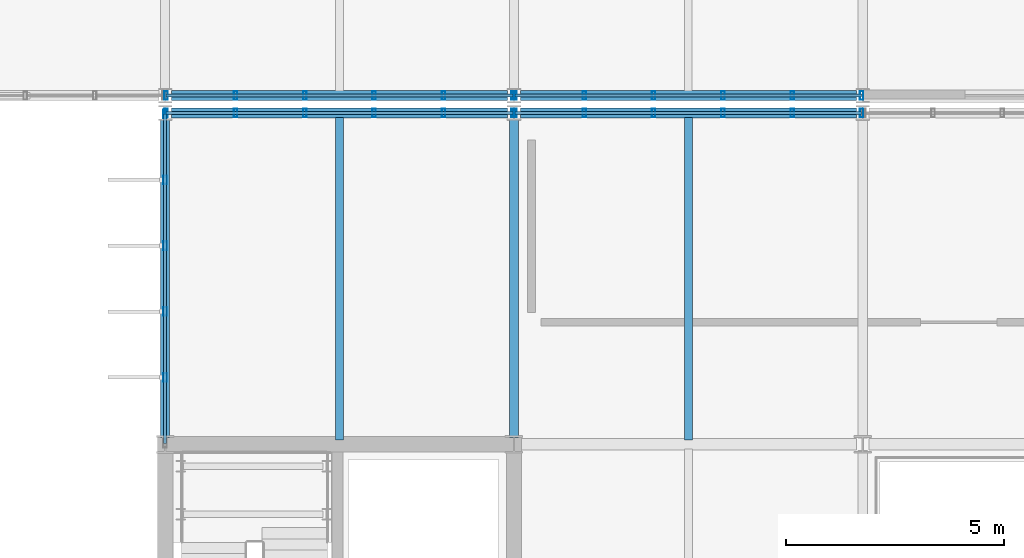
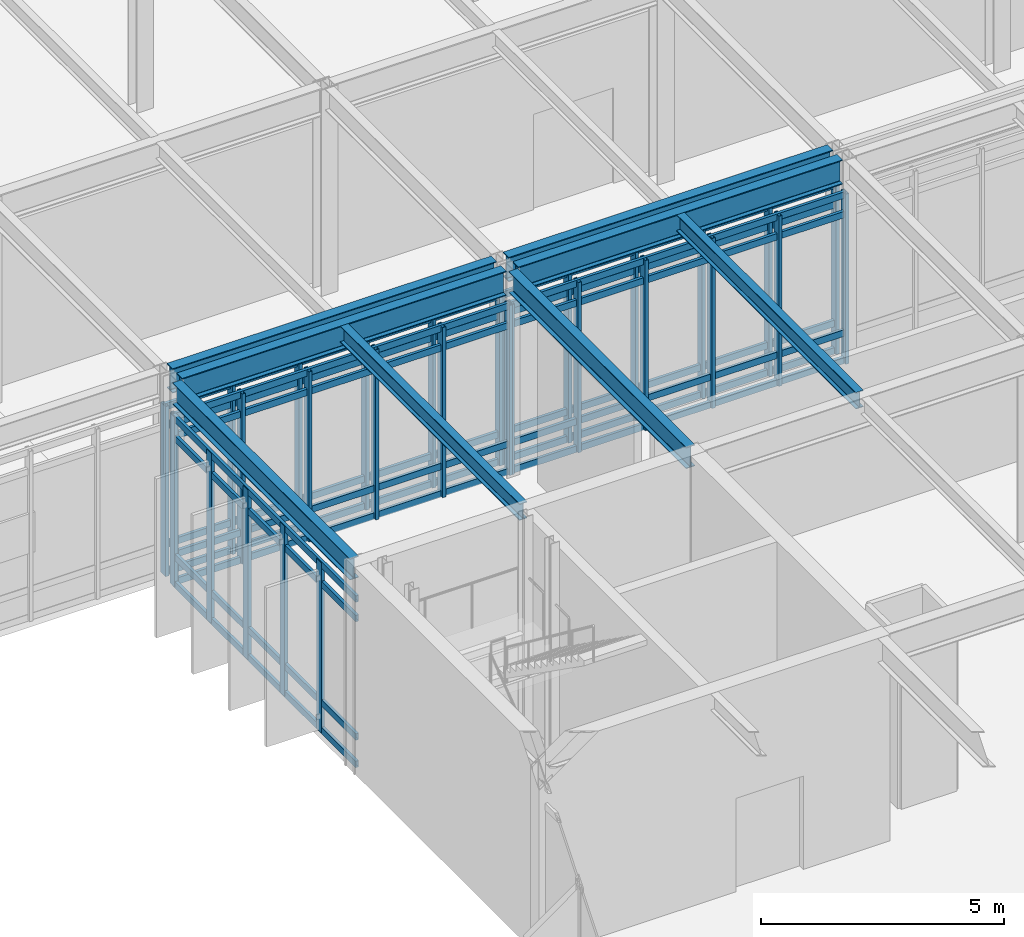
# One storey, part 42 of 94: 49 members, 8 beams, 5 elements without a shape of their own.
"""IFC4 building model written with IfcOpenShell, lengths in metres."""

from ifc_helpers import new_model, si_unit, direction, frame, origin, origin_2d, place, context, subcontext, project, spatial, hollow_rectangle, i_section, extrude, material, material_profile, profile_set, type_object, element, aggregate, save


model = new_model("IFC4")

# Units and contexts
model_context = context("Model", 3, precision=1e-05, world=origin(), true_north=direction((0.0, 1.0)))
body_context = subcontext(model_context, "Body", "Model", "MODEL_VIEW")
ifc_project = project(units=[si_unit("LENGTHUNIT", "METRE"), si_unit("AREAUNIT", "SQUARE_METRE"), si_unit("VOLUMEUNIT", "CUBIC_METRE"), si_unit("PLANEANGLEUNIT", "RADIAN"), si_unit("MASSUNIT", "GRAM", prefix="KILO")], contexts=[model_context])

# Site, building, storey
site_placement = place(None, origin())
site = spatial("IfcSite", under=ifc_project, at=site_placement, CompositionType="ELEMENT")
building_placement = place(site_placement, origin())
building = spatial("IfcBuilding", under=site, at=building_placement, Name="Zulena Civic Courthouse", CompositionType="ELEMENT")
storey_placement = place(building_placement, frame((0.0, 0.0, 5.39990234375)))
storey = spatial("IfcBuildingStorey", under=building, at=storey_placement, Name="L01", CompositionType="ELEMENT", Elevation=5.39990234375)

# Curtain wall, members
ifc_material_1 = material(Name="Double-silver low-E laminated solar-control glass", Category="glass")
curtain_wall_type_1 = type_object("IfcCurtainWallType", Name="CW_7552x4280", PredefinedType="USERDEFINED", material=ifc_material_1)
curtain_wall_1_placement = place(storey_placement, origin())
curtain_wall_1 = element("IfcCurtainWall", 1, at=curtain_wall_1_placement, inside=storey, type_object=curtain_wall_type_1, Name="cw:V4:L01:0:3", ObjectType="UNITISED CURTAIN WALL", PredefinedType="USERDEFINED")
ifc_material_2 = material(Name="Bronze anodised thermally broken aluminium AA6063-T6", Category="aluminium")
ifc_material_profile_1 = material_profile(ifc_material_2, hollow_rectangle(XDim=0.080078125, YDim=0.199951171875, WallThickness=0.0048828125, at=origin_2d()), Name="CWM200X80X5")
ifc_profile_set_1 = profile_set([ifc_material_profile_1], Name="Bronze anodised thermally broken aluminium AA6063-T6")
member_type_1 = type_object("IfcMemberType", Name="CWMullion_200x80", PredefinedType="MULLION", material=ifc_profile_set_1)
member_1_placement = place(storey_placement, frame((68.0, 39.534423828125, 0.0), z_axis=(0.0, 0.0, 1.0), x_axis=(1.0, 0.0, 0.0)))
member_1 = element("IfcMember", 2, at=member_1_placement, type_object=member_type_1, Name="cw:V4:L01:0:3:mull:1", PredefinedType="MULLION", context=body_context, shape_type="SweptSolid", body=[
    extrude(hollow_rectangle(XDim=0.080078125, YDim=0.199951171875, WallThickness=0.0048828125, at=origin_2d()), origin(), (0.0, 0.0, 1.0), 4.280029296875),
])
member_2_placement = place(storey_placement, frame((68.0, 41.044921875, 0.0), z_axis=(0.0, 0.0, 1.0), x_axis=(1.0, 0.0, 0.0)))
member_2 = element("IfcMember", 3, at=member_2_placement, type_object=member_type_1, Name="cw:V4:L01:0:3:mull:2", PredefinedType="MULLION", context=body_context, shape_type="SweptSolid", body=[
    extrude(hollow_rectangle(XDim=0.080078125, YDim=0.199951171875, WallThickness=0.0048828125, at=origin_2d()), origin(), (0.0, 0.0, 1.0), 4.280029296875),
])
member_3_placement = place(storey_placement, frame((68.0, 42.55517578125, 0.0), z_axis=(0.0, 0.0, 1.0), x_axis=(1.0, 0.0, 0.0)))
member_3 = element("IfcMember", 4, at=member_3_placement, type_object=member_type_1, Name="cw:V4:L01:0:3:mull:3", PredefinedType="MULLION", context=body_context, shape_type="SweptSolid", body=[
    extrude(hollow_rectangle(XDim=0.080078125, YDim=0.199951171875, WallThickness=0.0048828125, at=origin_2d()), origin(), (0.0, 0.0, 1.0), 4.280029296875),
])
member_4_placement = place(storey_placement, frame((68.0, 44.065673828125, 0.0), z_axis=(0.0, 0.0, 1.0), x_axis=(1.0, 0.0, 0.0)))
member_4 = element("IfcMember", 5, at=member_4_placement, type_object=member_type_1, Name="cw:V4:L01:0:3:mull:4", PredefinedType="MULLION", context=body_context, shape_type="SweptSolid", body=[
    extrude(hollow_rectangle(XDim=0.080078125, YDim=0.199951171875, WallThickness=0.0048828125, at=origin_2d()), origin(), (0.0, 0.0, 1.0), 4.280029296875),
])
member_5_placement = place(storey_placement, frame((68.0, 45.575927734375, 0.0), z_axis=(0.0, 0.0, 1.0), x_axis=(1.0, 0.0, 0.0)))
member_5 = element("IfcMember", 6, at=member_5_placement, type_object=member_type_1, Name="cw:V4:L01:0:3:mull:5", PredefinedType="MULLION", context=body_context, shape_type="SweptSolid", body=[
    extrude(hollow_rectangle(XDim=0.080078125, YDim=0.199951171875, WallThickness=0.0048828125, at=origin_2d()), origin(), (0.0, 0.0, 1.0), 4.280029296875),
])

curtain_wall_type_2 = type_object("IfcCurtainWallType", Name="CW_7952x4280", PredefinedType="USERDEFINED", material=ifc_material_1)
curtain_wall_2_placement = place(storey_placement, origin())
curtain_wall_2 = element("IfcCurtainWall", 7, at=curtain_wall_2_placement, inside=storey, type_object=curtain_wall_type_2, Name="cw:V4:L01:1:0", ObjectType="UNITISED CURTAIN WALL", PredefinedType="USERDEFINED")
member_6_placement = place(storey_placement, frame((68.02392578125, 45.60009765625, 0.0), z_axis=(0.0, 0.0, 1.0), x_axis=(1.0, 0.0, 0.0)))
member_6 = element("IfcMember", 8, at=member_6_placement, type_object=member_type_1, Name="cw:V4:L01:1:0:mull:0", PredefinedType="MULLION", context=body_context, shape_type="SweptSolid", body=[
    extrude(hollow_rectangle(XDim=0.080078125, YDim=0.199951171875, WallThickness=0.0048828125, at=origin_2d()), origin(), (0.0, 0.0, 1.0), 4.280029296875),
])
member_7_placement = place(storey_placement, frame((69.614501953125, 45.60009765625, 0.0), z_axis=(0.0, 0.0, 1.0), x_axis=(1.0, 0.0, 0.0)))
member_7 = element("IfcMember", 9, at=member_7_placement, type_object=member_type_1, Name="cw:V4:L01:1:0:mull:1", PredefinedType="MULLION", context=body_context, shape_type="SweptSolid", body=[
    extrude(hollow_rectangle(XDim=0.080078125, YDim=0.199951171875, WallThickness=0.0048828125, at=origin_2d()), origin(), (0.0, 0.0, 1.0), 4.280029296875),
])
member_8_placement = place(storey_placement, frame((71.204833984375, 45.60009765625, 0.0), z_axis=(0.0, 0.0, 1.0), x_axis=(1.0, 0.0, 0.0)))
member_8 = element("IfcMember", 10, at=member_8_placement, type_object=member_type_1, Name="cw:V4:L01:1:0:mull:2", PredefinedType="MULLION", context=body_context, shape_type="SweptSolid", body=[
    extrude(hollow_rectangle(XDim=0.080078125, YDim=0.199951171875, WallThickness=0.0048828125, at=origin_2d()), origin(), (0.0, 0.0, 1.0), 4.280029296875),
])
member_9_placement = place(storey_placement, frame((72.795166015625, 45.60009765625, 0.0), z_axis=(0.0, 0.0, 1.0), x_axis=(1.0, 0.0, 0.0)))
member_9 = element("IfcMember", 11, at=member_9_placement, type_object=member_type_1, Name="cw:V4:L01:1:0:mull:3", PredefinedType="MULLION", context=body_context, shape_type="SweptSolid", body=[
    extrude(hollow_rectangle(XDim=0.080078125, YDim=0.199951171875, WallThickness=0.0048828125, at=origin_2d()), origin(), (0.0, 0.0, 1.0), 4.280029296875),
])
member_10_placement = place(storey_placement, frame((74.385498046875, 45.60009765625, 0.0), z_axis=(0.0, 0.0, 1.0), x_axis=(1.0, 0.0, 0.0)))
member_10 = element("IfcMember", 12, at=member_10_placement, type_object=member_type_1, Name="cw:V4:L01:1:0:mull:4", PredefinedType="MULLION", context=body_context, shape_type="SweptSolid", body=[
    extrude(hollow_rectangle(XDim=0.080078125, YDim=0.199951171875, WallThickness=0.0048828125, at=origin_2d()), origin(), (0.0, 0.0, 1.0), 4.280029296875),
])
member_11_placement = place(storey_placement, frame((75.97607421875, 45.60009765625, 0.0), z_axis=(0.0, 0.0, 1.0), x_axis=(1.0, 0.0, 0.0)))
member_11 = element("IfcMember", 13, at=member_11_placement, type_object=member_type_1, Name="cw:V4:L01:1:0:mull:5", PredefinedType="MULLION", context=body_context, shape_type="SweptSolid", body=[
    extrude(hollow_rectangle(XDim=0.080078125, YDim=0.199951171875, WallThickness=0.0048828125, at=origin_2d()), origin(), (0.0, 0.0, 1.0), 4.280029296875),
])

curtain_wall_3_placement = place(storey_placement, origin())
curtain_wall_3 = element("IfcCurtainWall", 14, at=curtain_wall_3_placement, inside=storey, type_object=curtain_wall_type_2, Name="cw:V4:L01:1:1", ObjectType="UNITISED CURTAIN WALL", PredefinedType="USERDEFINED")
member_12_placement = place(storey_placement, frame((76.02392578125, 45.60009765625, 0.0), z_axis=(0.0, 0.0, 1.0), x_axis=(1.0, 0.0, 0.0)))
member_12 = element("IfcMember", 15, at=member_12_placement, type_object=member_type_1, Name="cw:V4:L01:1:1:mull:0", PredefinedType="MULLION", context=body_context, shape_type="SweptSolid", body=[
    extrude(hollow_rectangle(XDim=0.080078125, YDim=0.199951171875, WallThickness=0.0048828125, at=origin_2d()), origin(), (0.0, 0.0, 1.0), 4.280029296875),
])
member_13_placement = place(storey_placement, frame((77.614501953125, 45.60009765625, 0.0), z_axis=(0.0, 0.0, 1.0), x_axis=(1.0, 0.0, 0.0)))
member_13 = element("IfcMember", 16, at=member_13_placement, type_object=member_type_1, Name="cw:V4:L01:1:1:mull:1", PredefinedType="MULLION", context=body_context, shape_type="SweptSolid", body=[
    extrude(hollow_rectangle(XDim=0.080078125, YDim=0.199951171875, WallThickness=0.0048828125, at=origin_2d()), origin(), (0.0, 0.0, 1.0), 4.280029296875),
])
member_14_placement = place(storey_placement, frame((79.204833984375, 45.60009765625, 0.0), z_axis=(0.0, 0.0, 1.0), x_axis=(1.0, 0.0, 0.0)))
member_14 = element("IfcMember", 17, at=member_14_placement, type_object=member_type_1, Name="cw:V4:L01:1:1:mull:2", PredefinedType="MULLION", context=body_context, shape_type="SweptSolid", body=[
    extrude(hollow_rectangle(XDim=0.080078125, YDim=0.199951171875, WallThickness=0.0048828125, at=origin_2d()), origin(), (0.0, 0.0, 1.0), 4.280029296875),
])
member_15_placement = place(storey_placement, frame((80.795166015625, 45.60009765625, 0.0), z_axis=(0.0, 0.0, 1.0), x_axis=(1.0, 0.0, 0.0)))
member_15 = element("IfcMember", 18, at=member_15_placement, type_object=member_type_1, Name="cw:V4:L01:1:1:mull:3", PredefinedType="MULLION", context=body_context, shape_type="SweptSolid", body=[
    extrude(hollow_rectangle(XDim=0.080078125, YDim=0.199951171875, WallThickness=0.0048828125, at=origin_2d()), origin(), (0.0, 0.0, 1.0), 4.280029296875),
])
member_16_placement = place(storey_placement, frame((82.385498046875, 45.60009765625, 0.0), z_axis=(0.0, 0.0, 1.0), x_axis=(1.0, 0.0, 0.0)))
member_16 = element("IfcMember", 19, at=member_16_placement, type_object=member_type_1, Name="cw:V4:L01:1:1:mull:4", PredefinedType="MULLION", context=body_context, shape_type="SweptSolid", body=[
    extrude(hollow_rectangle(XDim=0.080078125, YDim=0.199951171875, WallThickness=0.0048828125, at=origin_2d()), origin(), (0.0, 0.0, 1.0), 4.280029296875),
])
member_17_placement = place(storey_placement, frame((83.97607421875, 45.60009765625, 0.0), z_axis=(0.0, 0.0, 1.0), x_axis=(1.0, 0.0, 0.0)))
member_17 = element("IfcMember", 20, at=member_17_placement, type_object=member_type_1, Name="cw:V4:L01:1:1:mull:5", PredefinedType="MULLION", context=body_context, shape_type="SweptSolid", body=[
    extrude(hollow_rectangle(XDim=0.080078125, YDim=0.199951171875, WallThickness=0.0048828125, at=origin_2d()), origin(), (0.0, 0.0, 1.0), 4.280029296875),
])

curtain_wall_4_placement = place(storey_placement, origin())
curtain_wall_4 = element("IfcCurtainWall", 21, at=curtain_wall_4_placement, inside=storey, type_object=curtain_wall_type_2, Name="cw:V5:L01:5:3", ObjectType="UNITISED CURTAIN WALL", PredefinedType="USERDEFINED")
member_18_placement = place(storey_placement, frame((83.97607421875, 46.0, 0.0), z_axis=(0.0, 0.0, 1.0), x_axis=(1.0, 0.0, 0.0)))
member_18 = element("IfcMember", 22, at=member_18_placement, type_object=member_type_1, Name="cw:V5:L01:5:3:mull:0", PredefinedType="MULLION", context=body_context, shape_type="SweptSolid", body=[
    extrude(hollow_rectangle(XDim=0.080078125, YDim=0.199951171875, WallThickness=0.0048828125, at=origin_2d()), origin(), (0.0, 0.0, 1.0), 4.280029296875),
])
member_19_placement = place(storey_placement, frame((82.385498046875, 46.0, 0.0), z_axis=(0.0, 0.0, 1.0), x_axis=(1.0, 0.0, 0.0)))
member_19 = element("IfcMember", 23, at=member_19_placement, type_object=member_type_1, Name="cw:V5:L01:5:3:mull:1", PredefinedType="MULLION", context=body_context, shape_type="SweptSolid", body=[
    extrude(hollow_rectangle(XDim=0.080078125, YDim=0.199951171875, WallThickness=0.0048828125, at=origin_2d()), origin(), (0.0, 0.0, 1.0), 4.280029296875),
])
member_20_placement = place(storey_placement, frame((80.795166015625, 46.0, 0.0), z_axis=(0.0, 0.0, 1.0), x_axis=(1.0, 0.0, 0.0)))
member_20 = element("IfcMember", 24, at=member_20_placement, type_object=member_type_1, Name="cw:V5:L01:5:3:mull:2", PredefinedType="MULLION", context=body_context, shape_type="SweptSolid", body=[
    extrude(hollow_rectangle(XDim=0.080078125, YDim=0.199951171875, WallThickness=0.0048828125, at=origin_2d()), origin(), (0.0, 0.0, 1.0), 4.280029296875),
])
member_21_placement = place(storey_placement, frame((79.204833984375, 46.0, 0.0), z_axis=(0.0, 0.0, 1.0), x_axis=(1.0, 0.0, 0.0)))
member_21 = element("IfcMember", 25, at=member_21_placement, type_object=member_type_1, Name="cw:V5:L01:5:3:mull:3", PredefinedType="MULLION", context=body_context, shape_type="SweptSolid", body=[
    extrude(hollow_rectangle(XDim=0.080078125, YDim=0.199951171875, WallThickness=0.0048828125, at=origin_2d()), origin(), (0.0, 0.0, 1.0), 4.280029296875),
])
member_22_placement = place(storey_placement, frame((77.614501953125, 46.0, 0.0), z_axis=(0.0, 0.0, 1.0), x_axis=(1.0, 0.0, 0.0)))
member_22 = element("IfcMember", 26, at=member_22_placement, type_object=member_type_1, Name="cw:V5:L01:5:3:mull:4", PredefinedType="MULLION", context=body_context, shape_type="SweptSolid", body=[
    extrude(hollow_rectangle(XDim=0.080078125, YDim=0.199951171875, WallThickness=0.0048828125, at=origin_2d()), origin(), (0.0, 0.0, 1.0), 4.280029296875),
])
member_23_placement = place(storey_placement, frame((76.02392578125, 46.0, 0.0), z_axis=(0.0, 0.0, 1.0), x_axis=(1.0, 0.0, 0.0)))
member_23 = element("IfcMember", 27, at=member_23_placement, type_object=member_type_1, Name="cw:V5:L01:5:3:mull:5", PredefinedType="MULLION", context=body_context, shape_type="SweptSolid", body=[
    extrude(hollow_rectangle(XDim=0.080078125, YDim=0.199951171875, WallThickness=0.0048828125, at=origin_2d()), origin(), (0.0, 0.0, 1.0), 4.280029296875),
])

curtain_wall_5_placement = place(storey_placement, origin())
curtain_wall_5 = element("IfcCurtainWall", 28, at=curtain_wall_5_placement, inside=storey, type_object=curtain_wall_type_2, Name="cw:V5:L01:5:4", ObjectType="UNITISED CURTAIN WALL", PredefinedType="USERDEFINED")
member_24_placement = place(storey_placement, frame((75.97607421875, 46.0, 0.0), z_axis=(0.0, 0.0, 1.0), x_axis=(1.0, 0.0, 0.0)))
member_24 = element("IfcMember", 29, at=member_24_placement, type_object=member_type_1, Name="cw:V5:L01:5:4:mull:0", PredefinedType="MULLION", context=body_context, shape_type="SweptSolid", body=[
    extrude(hollow_rectangle(XDim=0.080078125, YDim=0.199951171875, WallThickness=0.0048828125, at=origin_2d()), origin(), (0.0, 0.0, 1.0), 4.280029296875),
])
member_25_placement = place(storey_placement, frame((74.385498046875, 46.0, 0.0), z_axis=(0.0, 0.0, 1.0), x_axis=(1.0, 0.0, 0.0)))
member_25 = element("IfcMember", 30, at=member_25_placement, type_object=member_type_1, Name="cw:V5:L01:5:4:mull:1", PredefinedType="MULLION", context=body_context, shape_type="SweptSolid", body=[
    extrude(hollow_rectangle(XDim=0.080078125, YDim=0.199951171875, WallThickness=0.0048828125, at=origin_2d()), origin(), (0.0, 0.0, 1.0), 4.280029296875),
])
member_26_placement = place(storey_placement, frame((72.795166015625, 46.0, 0.0), z_axis=(0.0, 0.0, 1.0), x_axis=(1.0, 0.0, 0.0)))
member_26 = element("IfcMember", 31, at=member_26_placement, type_object=member_type_1, Name="cw:V5:L01:5:4:mull:2", PredefinedType="MULLION", context=body_context, shape_type="SweptSolid", body=[
    extrude(hollow_rectangle(XDim=0.080078125, YDim=0.199951171875, WallThickness=0.0048828125, at=origin_2d()), origin(), (0.0, 0.0, 1.0), 4.280029296875),
])
member_27_placement = place(storey_placement, frame((71.204833984375, 46.0, 0.0), z_axis=(0.0, 0.0, 1.0), x_axis=(1.0, 0.0, 0.0)))
member_27 = element("IfcMember", 32, at=member_27_placement, type_object=member_type_1, Name="cw:V5:L01:5:4:mull:3", PredefinedType="MULLION", context=body_context, shape_type="SweptSolid", body=[
    extrude(hollow_rectangle(XDim=0.080078125, YDim=0.199951171875, WallThickness=0.0048828125, at=origin_2d()), origin(), (0.0, 0.0, 1.0), 4.280029296875),
])
member_28_placement = place(storey_placement, frame((69.614501953125, 46.0, 0.0), z_axis=(0.0, 0.0, 1.0), x_axis=(1.0, 0.0, 0.0)))
member_28 = element("IfcMember", 33, at=member_28_placement, type_object=member_type_1, Name="cw:V5:L01:5:4:mull:4", PredefinedType="MULLION", context=body_context, shape_type="SweptSolid", body=[
    extrude(hollow_rectangle(XDim=0.080078125, YDim=0.199951171875, WallThickness=0.0048828125, at=origin_2d()), origin(), (0.0, 0.0, 1.0), 4.280029296875),
])
member_29_placement = place(storey_placement, frame((68.02392578125, 46.0, 0.0), z_axis=(0.0, 0.0, 1.0), x_axis=(1.0, 0.0, 0.0)))
member_29 = element("IfcMember", 34, at=member_29_placement, type_object=member_type_1, Name="cw:V5:L01:5:4:mull:5", PredefinedType="MULLION", context=body_context, shape_type="SweptSolid", body=[
    extrude(hollow_rectangle(XDim=0.080078125, YDim=0.199951171875, WallThickness=0.0048828125, at=origin_2d()), origin(), (0.0, 0.0, 1.0), 4.280029296875),
])

# Member
ifc_material_profile_2 = material_profile(ifc_material_2, hollow_rectangle(XDim=0.070068359375, YDim=0.1650390625, WallThickness=0.00390625, at=origin_2d()), Name="CWT165X70X4")
ifc_profile_set_2 = profile_set([ifc_material_profile_2], Name="Bronze anodised thermally broken aluminium AA6063-T6")
member_type_2 = type_object("IfcMemberType", Name="CWTransom_165x70", PredefinedType="USERDEFINED", material=ifc_profile_set_2)
member_30_placement = place(storey_placement, frame((68.0, 38.02392578125, 0.06005859375), z_axis=(0.0, 1.0, 0.0), x_axis=(-1.0, 0.0, 0.0)))
member_30 = element("IfcMember", 35, at=member_30_placement, type_object=member_type_2, Name="cw:V4:L01:0:3:tran:0", ObjectType="TRANSOM", PredefinedType="USERDEFINED", context=body_context, shape_type="SweptSolid", body=[
    extrude(hollow_rectangle(XDim=0.070068359375, YDim=0.1650390625, WallThickness=0.00390625, at=origin_2d()), origin(), (0.0, 0.0, 1.0), 7.552001953125),
])

member_31_placement = place(storey_placement, frame((68.0, 38.02392578125, 0.75), z_axis=(0.0, 1.0, 0.0), x_axis=(-1.0, 0.0, 0.0)))
member_31 = element("IfcMember", 36, at=member_31_placement, type_object=member_type_2, Name="cw:V4:L01:0:3:tran:1", ObjectType="TRANSOM", PredefinedType="USERDEFINED", context=body_context, shape_type="SweptSolid", body=[
    extrude(hollow_rectangle(XDim=0.070068359375, YDim=0.1650390625, WallThickness=0.00390625, at=origin_2d()), origin(), (0.0, 0.0, 1.0), 7.552001953125),
])

member_32_placement = place(storey_placement, frame((68.0, 38.02392578125, 3.72998046875), z_axis=(0.0, 1.0, 0.0), x_axis=(-1.0, 0.0, 0.0)))
member_32 = element("IfcMember", 37, at=member_32_placement, type_object=member_type_2, Name="cw:V4:L01:0:3:tran:2", ObjectType="TRANSOM", PredefinedType="USERDEFINED", context=body_context, shape_type="SweptSolid", body=[
    extrude(hollow_rectangle(XDim=0.070068359375, YDim=0.1650390625, WallThickness=0.00390625, at=origin_2d()), origin(), (0.0, 0.0, 1.0), 7.552001953125),
])

member_33_placement = place(storey_placement, frame((68.0, 38.02392578125, 4.22021484375), z_axis=(0.0, 1.0, 0.0), x_axis=(-1.0, 0.0, 0.0)))
member_33 = element("IfcMember", 38, at=member_33_placement, type_object=member_type_2, Name="cw:V4:L01:0:3:tran:3", ObjectType="TRANSOM", PredefinedType="USERDEFINED", context=body_context, shape_type="SweptSolid", body=[
    extrude(hollow_rectangle(XDim=0.070068359375, YDim=0.1650390625, WallThickness=0.00390625, at=origin_2d()), origin(), (0.0, 0.0, 1.0), 7.552001953125),
])

aggregate(curtain_wall_1, [member_1, member_2, member_3, member_4, member_5, member_30, member_31, member_32, member_33])

member_34_placement = place(storey_placement, frame((68.02392578125, 45.60009765625, 0.06005859375), z_axis=(1.0, 0.0, 0.0), x_axis=(0.0, 1.0, 0.0)))
member_34 = element("IfcMember", 39, at=member_34_placement, type_object=member_type_2, Name="cw:V4:L01:1:0:tran:0", ObjectType="TRANSOM", PredefinedType="USERDEFINED", context=body_context, shape_type="SweptSolid", body=[
    extrude(hollow_rectangle(XDim=0.070068359375, YDim=0.1650390625, WallThickness=0.00390625, at=origin_2d()), origin(), (0.0, 0.0, 1.0), 7.9521484375),
])

member_35_placement = place(storey_placement, frame((68.02392578125, 45.60009765625, 0.75), z_axis=(1.0, 0.0, 0.0), x_axis=(0.0, 1.0, 0.0)))
member_35 = element("IfcMember", 40, at=member_35_placement, type_object=member_type_2, Name="cw:V4:L01:1:0:tran:1", ObjectType="TRANSOM", PredefinedType="USERDEFINED", context=body_context, shape_type="SweptSolid", body=[
    extrude(hollow_rectangle(XDim=0.070068359375, YDim=0.1650390625, WallThickness=0.00390625, at=origin_2d()), origin(), (0.0, 0.0, 1.0), 7.9521484375),
])

member_36_placement = place(storey_placement, frame((68.02392578125, 45.60009765625, 3.72998046875), z_axis=(1.0, 0.0, 0.0), x_axis=(0.0, 1.0, 0.0)))
member_36 = element("IfcMember", 41, at=member_36_placement, type_object=member_type_2, Name="cw:V4:L01:1:0:tran:2", ObjectType="TRANSOM", PredefinedType="USERDEFINED", context=body_context, shape_type="SweptSolid", body=[
    extrude(hollow_rectangle(XDim=0.070068359375, YDim=0.1650390625, WallThickness=0.00390625, at=origin_2d()), origin(), (0.0, 0.0, 1.0), 7.9521484375),
])

member_37_placement = place(storey_placement, frame((68.02392578125, 45.60009765625, 4.22021484375), z_axis=(1.0, 0.0, 0.0), x_axis=(0.0, 1.0, 0.0)))
member_37 = element("IfcMember", 42, at=member_37_placement, type_object=member_type_2, Name="cw:V4:L01:1:0:tran:3", ObjectType="TRANSOM", PredefinedType="USERDEFINED", context=body_context, shape_type="SweptSolid", body=[
    extrude(hollow_rectangle(XDim=0.070068359375, YDim=0.1650390625, WallThickness=0.00390625, at=origin_2d()), origin(), (0.0, 0.0, 1.0), 7.9521484375),
])

aggregate(curtain_wall_2, [member_6, member_7, member_8, member_9, member_10, member_11, member_34, member_35, member_36, member_37])

member_38_placement = place(storey_placement, frame((76.02392578125, 45.60009765625, 0.06005859375), z_axis=(1.0, 0.0, 0.0), x_axis=(0.0, 1.0, 0.0)))
member_38 = element("IfcMember", 43, at=member_38_placement, type_object=member_type_2, Name="cw:V4:L01:1:1:tran:0", ObjectType="TRANSOM", PredefinedType="USERDEFINED", context=body_context, shape_type="SweptSolid", body=[
    extrude(hollow_rectangle(XDim=0.070068359375, YDim=0.1650390625, WallThickness=0.00390625, at=origin_2d()), origin(), (0.0, 0.0, 1.0), 7.9521484375),
])

member_39_placement = place(storey_placement, frame((76.02392578125, 45.60009765625, 0.75), z_axis=(1.0, 0.0, 0.0), x_axis=(0.0, 1.0, 0.0)))
member_39 = element("IfcMember", 44, at=member_39_placement, type_object=member_type_2, Name="cw:V4:L01:1:1:tran:1", ObjectType="TRANSOM", PredefinedType="USERDEFINED", context=body_context, shape_type="SweptSolid", body=[
    extrude(hollow_rectangle(XDim=0.070068359375, YDim=0.1650390625, WallThickness=0.00390625, at=origin_2d()), origin(), (0.0, 0.0, 1.0), 7.9521484375),
])

member_40_placement = place(storey_placement, frame((76.02392578125, 45.60009765625, 3.72998046875), z_axis=(1.0, 0.0, 0.0), x_axis=(0.0, 1.0, 0.0)))
member_40 = element("IfcMember", 45, at=member_40_placement, type_object=member_type_2, Name="cw:V4:L01:1:1:tran:2", ObjectType="TRANSOM", PredefinedType="USERDEFINED", context=body_context, shape_type="SweptSolid", body=[
    extrude(hollow_rectangle(XDim=0.070068359375, YDim=0.1650390625, WallThickness=0.00390625, at=origin_2d()), origin(), (0.0, 0.0, 1.0), 7.9521484375),
])

member_41_placement = place(storey_placement, frame((76.02392578125, 45.60009765625, 4.22021484375), z_axis=(1.0, 0.0, 0.0), x_axis=(0.0, 1.0, 0.0)))
member_41 = element("IfcMember", 46, at=member_41_placement, type_object=member_type_2, Name="cw:V4:L01:1:1:tran:3", ObjectType="TRANSOM", PredefinedType="USERDEFINED", context=body_context, shape_type="SweptSolid", body=[
    extrude(hollow_rectangle(XDim=0.070068359375, YDim=0.1650390625, WallThickness=0.00390625, at=origin_2d()), origin(), (0.0, 0.0, 1.0), 7.9521484375),
])

aggregate(curtain_wall_3, [member_12, member_13, member_14, member_15, member_16, member_17, member_38, member_39, member_40, member_41])

member_42_placement = place(storey_placement, frame((83.97607421875, 46.0, 0.06005859375), z_axis=(-1.0, 0.0, 0.0), x_axis=(0.0, -1.0, 0.0)))
member_42 = element("IfcMember", 47, at=member_42_placement, type_object=member_type_2, Name="cw:V5:L01:5:3:tran:0", ObjectType="TRANSOM", PredefinedType="USERDEFINED", context=body_context, shape_type="SweptSolid", body=[
    extrude(hollow_rectangle(XDim=0.070068359375, YDim=0.1650390625, WallThickness=0.00390625, at=origin_2d()), origin(), (0.0, 0.0, 1.0), 7.9521484375),
])

member_43_placement = place(storey_placement, frame((83.97607421875, 46.0, 0.75), z_axis=(-1.0, 0.0, 0.0), x_axis=(0.0, -1.0, 0.0)))
member_43 = element("IfcMember", 48, at=member_43_placement, type_object=member_type_2, Name="cw:V5:L01:5:3:tran:1", ObjectType="TRANSOM", PredefinedType="USERDEFINED", context=body_context, shape_type="SweptSolid", body=[
    extrude(hollow_rectangle(XDim=0.070068359375, YDim=0.1650390625, WallThickness=0.00390625, at=origin_2d()), origin(), (0.0, 0.0, 1.0), 7.9521484375),
])

member_44_placement = place(storey_placement, frame((83.97607421875, 46.0, 3.72998046875), z_axis=(-1.0, 0.0, 0.0), x_axis=(0.0, -1.0, 0.0)))
member_44 = element("IfcMember", 49, at=member_44_placement, type_object=member_type_2, Name="cw:V5:L01:5:3:tran:2", ObjectType="TRANSOM", PredefinedType="USERDEFINED", context=body_context, shape_type="SweptSolid", body=[
    extrude(hollow_rectangle(XDim=0.070068359375, YDim=0.1650390625, WallThickness=0.00390625, at=origin_2d()), origin(), (0.0, 0.0, 1.0), 7.9521484375),
])

member_45_placement = place(storey_placement, frame((83.97607421875, 46.0, 4.22021484375), z_axis=(-1.0, 0.0, 0.0), x_axis=(0.0, -1.0, 0.0)))
member_45 = element("IfcMember", 50, at=member_45_placement, type_object=member_type_2, Name="cw:V5:L01:5:3:tran:3", ObjectType="TRANSOM", PredefinedType="USERDEFINED", context=body_context, shape_type="SweptSolid", body=[
    extrude(hollow_rectangle(XDim=0.070068359375, YDim=0.1650390625, WallThickness=0.00390625, at=origin_2d()), origin(), (0.0, 0.0, 1.0), 7.9521484375),
])

aggregate(curtain_wall_4, [member_18, member_19, member_20, member_21, member_22, member_23, member_42, member_43, member_44, member_45])

member_46_placement = place(storey_placement, frame((75.97607421875, 46.0, 0.06005859375), z_axis=(-1.0, 0.0, 0.0), x_axis=(0.0, -1.0, 0.0)))
member_46 = element("IfcMember", 51, at=member_46_placement, type_object=member_type_2, Name="cw:V5:L01:5:4:tran:0", ObjectType="TRANSOM", PredefinedType="USERDEFINED", context=body_context, shape_type="SweptSolid", body=[
    extrude(hollow_rectangle(XDim=0.070068359375, YDim=0.1650390625, WallThickness=0.00390625, at=origin_2d()), origin(), (0.0, 0.0, 1.0), 7.9521484375),
])

member_47_placement = place(storey_placement, frame((75.97607421875, 46.0, 0.75), z_axis=(-1.0, 0.0, 0.0), x_axis=(0.0, -1.0, 0.0)))
member_47 = element("IfcMember", 52, at=member_47_placement, type_object=member_type_2, Name="cw:V5:L01:5:4:tran:1", ObjectType="TRANSOM", PredefinedType="USERDEFINED", context=body_context, shape_type="SweptSolid", body=[
    extrude(hollow_rectangle(XDim=0.070068359375, YDim=0.1650390625, WallThickness=0.00390625, at=origin_2d()), origin(), (0.0, 0.0, 1.0), 7.9521484375),
])

member_48_placement = place(storey_placement, frame((75.97607421875, 46.0, 3.72998046875), z_axis=(-1.0, 0.0, 0.0), x_axis=(0.0, -1.0, 0.0)))
member_48 = element("IfcMember", 53, at=member_48_placement, type_object=member_type_2, Name="cw:V5:L01:5:4:tran:2", ObjectType="TRANSOM", PredefinedType="USERDEFINED", context=body_context, shape_type="SweptSolid", body=[
    extrude(hollow_rectangle(XDim=0.070068359375, YDim=0.1650390625, WallThickness=0.00390625, at=origin_2d()), origin(), (0.0, 0.0, 1.0), 7.9521484375),
])

member_49_placement = place(storey_placement, frame((75.97607421875, 46.0, 4.22021484375), z_axis=(-1.0, 0.0, 0.0), x_axis=(0.0, -1.0, 0.0)))
member_49 = element("IfcMember", 54, at=member_49_placement, type_object=member_type_2, Name="cw:V5:L01:5:4:tran:3", ObjectType="TRANSOM", PredefinedType="USERDEFINED", context=body_context, shape_type="SweptSolid", body=[
    extrude(hollow_rectangle(XDim=0.070068359375, YDim=0.1650390625, WallThickness=0.00390625, at=origin_2d()), origin(), (0.0, 0.0, 1.0), 7.9521484375),
])

aggregate(curtain_wall_5, [member_24, member_25, member_26, member_27, member_28, member_29, member_46, member_47, member_48, member_49])

# Beams
ifc_material_3 = material(Name="Steel ASTM A992 Grade 50", Category="steel")
ifc_material_profile_3 = material_profile(ifc_material_3, i_section(OverallWidth=0.180908203125, OverallDepth=0.4169921875, WebThickness=0.010986328125, FlangeThickness=0.018310546875, FilletRadius=0.01025390625, at=origin_2d()), Name="W16X57")
ifc_profile_set_3 = profile_set([ifc_material_profile_3], Name="Steel ASTM A992 Grade 50")
beam_type_1 = type_object("IfcBeamType", Name="Joist_W16X57", PredefinedType="JOIST", material=ifc_profile_set_3)
for number, where, z_axis, x_axis, name in (
    (55, (72.0, 38.10498046875, 4.9765625), (0.0, 1.0, 0.0), (-1.0, 0.0, 0.0), "joist:V4:L01:72.00:38.0_45.6"),
    (56, (80.0, 38.10498046875, 4.9765625), (0.0, 1.0, 0.0), (-1.0, 0.0, 0.0), "joist:V4:L01:80.00:38.0_45.6"),
):
    element("IfcBeam", number, at=place(storey_placement, frame(where, z_axis=z_axis, x_axis=x_axis)), inside=storey, type_object=beam_type_1, Name=name, PredefinedType="JOIST", context=body_context, shape_type="SweptSolid", body=[
        extrude(i_section(OverallWidth=0.180908203125, OverallDepth=0.4169921875, WebThickness=0.010986328125, FlangeThickness=0.018310546875, FilletRadius=0.01025390625, at=origin_2d()), origin(), (0.0, 0.0, 1.0), 7.39013671875),
    ])
ifc_material_profile_4 = material_profile(ifc_material_3, i_section(OverallWidth=0.2099609375, OverallDepth=0.537109375, WebThickness=0.010986328125, FlangeThickness=0.017333984375, FilletRadius=0.0126953125, at=origin_2d()), Name="W21X68")
ifc_profile_set_4 = profile_set([ifc_material_profile_4], Name="Steel ASTM A992 Grade 50")
beam_type_2 = type_object("IfcBeamType", Name="Spandrel_W21X68", PredefinedType="SPANDREL", material=ifc_profile_set_4)
for number, where, z_axis, x_axis, name in (
    (57, (68.0, 38.14501953125, 4.91650390625), (0.0, 1.0, 0.0), (-1.0, 0.0, 0.0), "beam:Y:V4:L01:68.0:38.0_45.6"),
    (58, (76.0, 38.14501953125, 4.91650390625), (0.0, 1.0, 0.0), (-1.0, 0.0, 0.0), "beam:Y:V4:L01:76.0:38.0_45.6"),
):
    element("IfcBeam", number, at=place(storey_placement, frame(where, z_axis=z_axis, x_axis=x_axis)), inside=storey, type_object=beam_type_2, Name=name, PredefinedType="SPANDREL", context=body_context, shape_type="SweptSolid", body=[
        extrude(i_section(OverallWidth=0.2099609375, OverallDepth=0.537109375, WebThickness=0.010986328125, FlangeThickness=0.017333984375, FilletRadius=0.0126953125, at=origin_2d()), origin(), (0.0, 0.0, 1.0), 7.31005859375),
    ])
ifc_material_profile_5 = material_profile(ifc_material_3, i_section(OverallWidth=0.22998046875, OverallDepth=0.616943359375, WebThickness=0.01318359375, FlangeThickness=0.022216796875, FilletRadius=0.0126953125, at=origin_2d()), Name="W24X94")
ifc_profile_set_5 = profile_set([ifc_material_profile_5], Name="Steel ASTM A992 Grade 50")
beam_type_3 = type_object("IfcBeamType", Name="Spandrel_W24X94", PredefinedType="SPANDREL", material=ifc_profile_set_5)
for number, where, z_axis, x_axis, name in (
    (59, (68.14501953125, 45.60009765625, 4.876708984375), (1.0, 0.0, 0.0), (0.0, 1.0, 0.0), "beam:X:V4:L01:45.6:68.0_76.0"),
    (60, (76.14501953125, 45.60009765625, 4.876708984375), (1.0, 0.0, 0.0), (0.0, 1.0, 0.0), "beam:X:V4:L01:45.6:76.0_84.0"),
    (61, (68.14501953125, 46.0, 4.876708984375), (1.0, 0.0, 0.0), (0.0, 1.0, 0.0), "beam:X:V5:L01:46.0:68.0_76.0"),
    (62, (76.14501953125, 46.0, 4.876708984375), (1.0, 0.0, 0.0), (0.0, 1.0, 0.0), "beam:X:V5:L01:46.0:76.0_84.0"),
):
    element("IfcBeam", number, at=place(storey_placement, frame(where, z_axis=z_axis, x_axis=x_axis)), inside=storey, type_object=beam_type_3, Name=name, PredefinedType="SPANDREL", context=body_context, shape_type="SweptSolid", body=[
        extrude(i_section(OverallWidth=0.22998046875, OverallDepth=0.616943359375, WebThickness=0.01318359375, FlangeThickness=0.022216796875, FilletRadius=0.0126953125, at=origin_2d()), origin(), (0.0, 0.0, 1.0), 7.7099609375),
    ])

save(model, "model.ifc")
